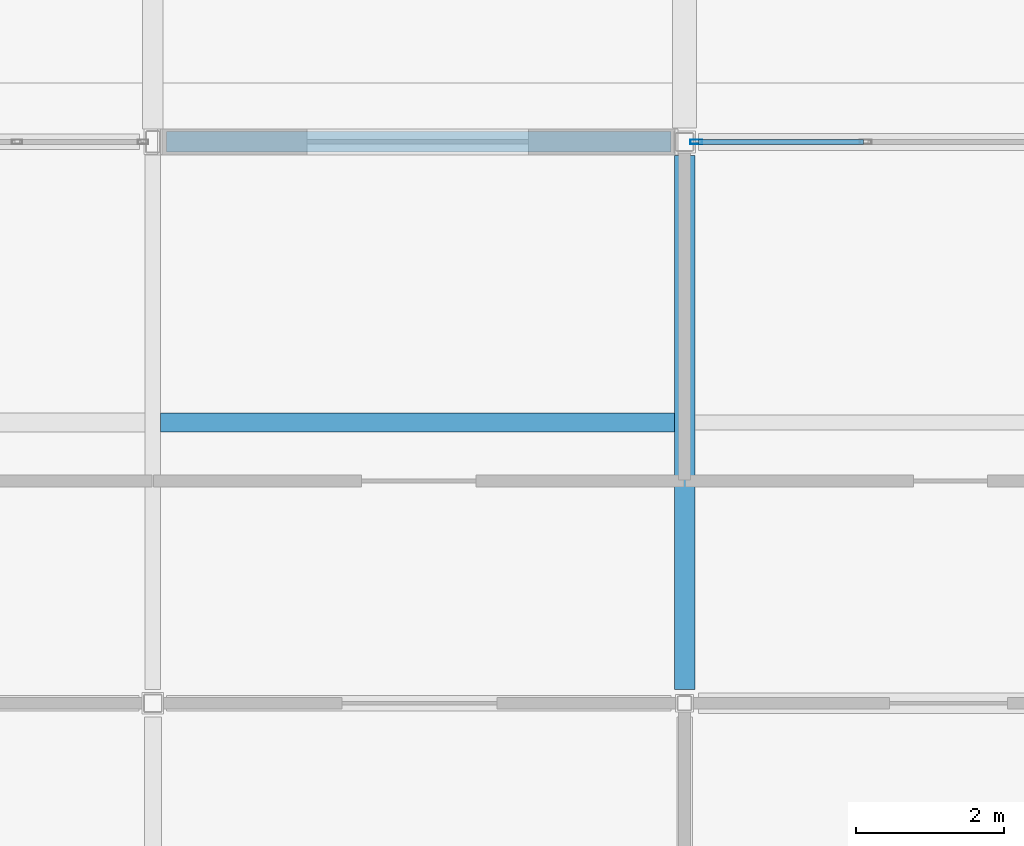
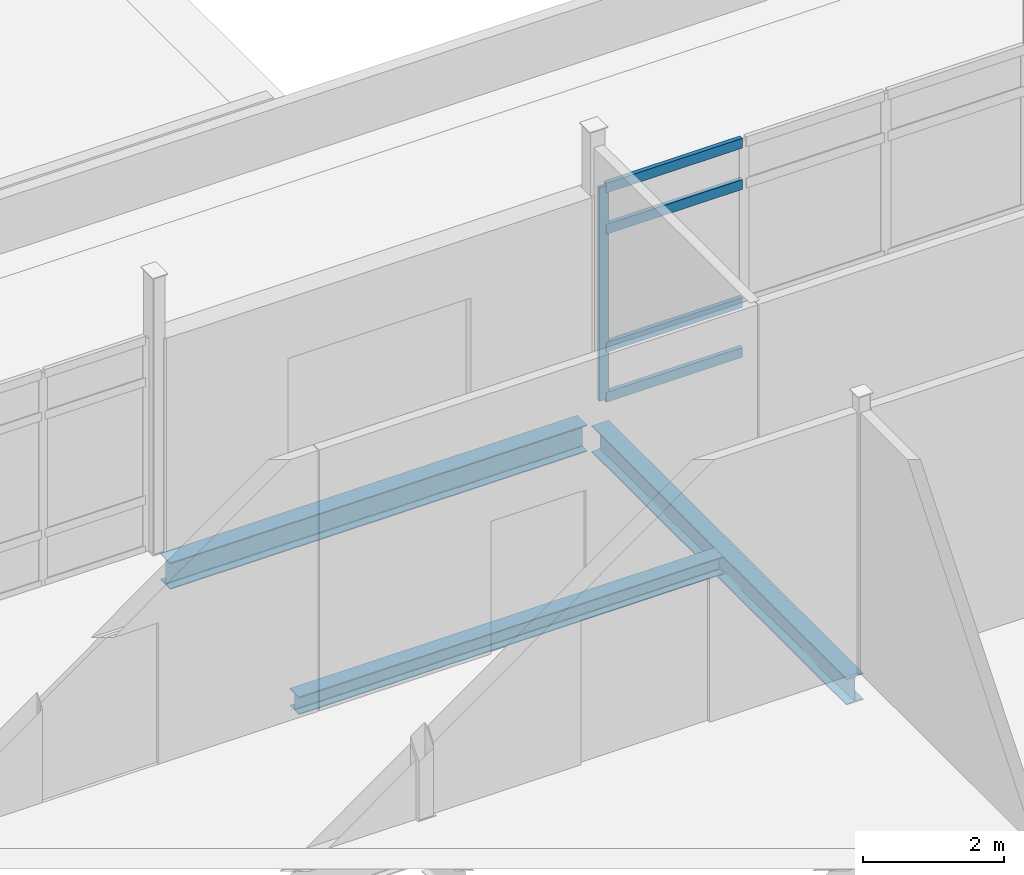
# One storey, part 35 of 186: 5 members, 3 beams, 1 element without a shape of its own.
"""IFC4 building model written with IfcOpenShell, lengths in metres."""

from ifc_helpers import new_model, si_unit, direction, frame, origin, origin_2d, place, context, subcontext, project, spatial, hollow_rectangle, i_section, extrude, material, layer, layer_set, material_profile, profile_set, type_object, element, aggregate, save


model = new_model("IFC4")

# Units and contexts
model_context = context("Model", 3, precision=1e-05, world=origin(), true_north=direction((0.0, 1.0)))
body_context = subcontext(model_context, "Body", "Model", "MODEL_VIEW")
ifc_project = project(units=[si_unit("LENGTHUNIT", "METRE"), si_unit("AREAUNIT", "SQUARE_METRE"), si_unit("VOLUMEUNIT", "CUBIC_METRE"), si_unit("PLANEANGLEUNIT", "RADIAN"), si_unit("MASSUNIT", "GRAM", prefix="KILO")], contexts=[model_context])

# Site, building, storey
site_placement = place(None, origin())
site = spatial("IfcSite", under=ifc_project, at=site_placement, CompositionType="ELEMENT")
building_placement = place(site_placement, origin())
building = spatial("IfcBuilding", under=site, at=building_placement, Name="Calvrana Isthmian Art Gallery", CompositionType="ELEMENT")
storey_placement = place(building_placement, frame((0.0, 0.0, 5.39990234375)))
storey = spatial("IfcBuildingStorey", under=building, at=storey_placement, Name="L01", CompositionType="ELEMENT", Elevation=5.39990234375)

# Beams
ifc_material_1 = material(Name="Steel ASTM A992 Gr 50", Category="steel")
ifc_material_profile_1 = material_profile(ifc_material_1, i_section(OverallWidth=0.279052734375, OverallDepth=0.4619140625, WebThickness=0.0107421875, FlangeThickness=0.017333984375, FilletRadius=0.02001953125, at=origin_2d()), Name="W18X76")
ifc_profile_set_1 = profile_set([ifc_material_profile_1], Name="Steel ASTM A992 Gr 50")
beam_type_1 = type_object("IfcBeamType", Name="BM-G-W18X76", PredefinedType="BEAM", material=ifc_profile_set_1)
beam_1_placement = place(storey_placement, frame((7.384033203125, 62.0, -0.475830078125), z_axis=(1.0, 0.0, 0.0), x_axis=(0.0, 1.0, 0.0)))
element("IfcBeam", 1, at=beam_1_placement, inside=storey, type_object=beam_type_1, Name="Girder X L01 02-03/I", PredefinedType="BEAM", context=body_context, shape_type="SweptSolid", body=[
    extrude(i_section(OverallWidth=0.279052734375, OverallDepth=0.4619140625, WebThickness=0.0107421875, FlangeThickness=0.017333984375, FilletRadius=0.02001953125, at=origin_2d()), origin(), (0.0, 0.0, 1.0), 6.829345703125),
])
beam_2_placement = place(storey_placement, frame((14.39990234375, 54.583984375, -0.475830078125), z_axis=(0.0, 1.0, 0.0), x_axis=(-1.0, 0.0, 0.0)))
element("IfcBeam", 2, at=beam_2_placement, inside=storey, type_object=beam_type_1, Name="Girder Y L01 03/H-I", PredefinedType="BEAM", context=body_context, shape_type="SweptSolid", body=[
    extrude(i_section(OverallWidth=0.279052734375, OverallDepth=0.4619140625, WebThickness=0.0107421875, FlangeThickness=0.017333984375, FilletRadius=0.02001953125, at=origin_2d()), origin(), (0.0, 0.0, 1.0), 7.2294921875),
])
ifc_material_profile_2 = material_profile(ifc_material_1, i_section(OverallWidth=0.25390625, OverallDepth=0.306884765625, WebThickness=0.0087890625, FlangeThickness=0.0146484375, FilletRadius=0.01611328125, at=origin_2d()), Name="W12X53")
ifc_profile_set_2 = profile_set([ifc_material_profile_2], Name="Steel ASTM A992 Gr 50")
beam_type_2 = type_object("IfcBeamType", Name="BM-J-W12X53", PredefinedType="JOIST", material=ifc_profile_set_2)
beam_3_placement = place(storey_placement, frame((7.304443359375, 58.199951171875, -0.3984375), z_axis=(1.0, 0.0, 0.0), x_axis=(0.0, 1.0, 0.0)))
element("IfcBeam", 3, at=beam_3_placement, inside=storey, type_object=beam_type_2, Name="Composite joist L01 bay 01-07", PredefinedType="JOIST", context=body_context, shape_type="SweptSolid", body=[
    extrude(i_section(OverallWidth=0.25390625, OverallDepth=0.306884765625, WebThickness=0.0087890625, FlangeThickness=0.0146484375, FilletRadius=0.01611328125, at=origin_2d()), origin(), (0.0, 0.0, 1.0), 6.9560546875),
])

# Curtain wall, members
ifc_material_2 = material(Name="Anodized bronze aluminium 6063-T6", Category="aluminium")
ifc_layer = layer(ifc_material_2, 0.179931640625, Name="Anodized bronze aluminium 6063-T6")
ifc_layer_set = layer_set([ifc_layer], Name="Anodized bronze aluminium 6063-T6")
curtain_wall_type = type_object("IfcCurtainWallType", Name="CW-STICK-070X37", PredefinedType="NOTDEFINED", material=ifc_layer_set)
curtain_wall_placement = place(storey_placement, origin())
curtain_wall = element("IfcCurtainWall", 4, at=curtain_wall_placement, inside=storey, type_object=curtain_wall_type, Name="Curtain wall CW-103", PredefinedType="NOTDEFINED")
ifc_material_profile_3 = material_profile(ifc_material_2, hollow_rectangle(XDim=0.06005859375, YDim=0.159912109375, WallThickness=0.00390625, at=origin_2d()), Name="CWM60X160")
ifc_profile_set_3 = profile_set([ifc_material_profile_3], Name="Anodized bronze aluminium 6063-T6")
member_type_1 = type_object("IfcMemberType", Name="CWM-CWM60X160", PredefinedType="MULLION", material=ifc_profile_set_3)
member_1_placement = place(storey_placement, frame((14.556884765625, 62.0, 0.0), z_axis=(0.0, 0.0, 1.0), x_axis=(0.0, 1.0, 0.0)))
member_1 = element("IfcMember", 5, at=member_1_placement, type_object=member_type_1, Name="CW-103 mullion 1", PredefinedType="MULLION", context=body_context, shape_type="SweptSolid", body=[
    extrude(hollow_rectangle(XDim=0.06005859375, YDim=0.159912109375, WallThickness=0.00390625, at=origin_2d()), origin(), (0.0, 0.0, 1.0), 3.695068359375),
])
ifc_material_profile_4 = material_profile(ifc_material_2, hollow_rectangle(XDim=0.070068359375, YDim=0.169921875, WallThickness=0.00439453125, at=origin_2d()), Name="CWT70X170")
ifc_profile_set_4 = profile_set([ifc_material_profile_4], Name="Anodized bronze aluminium 6063-T6")
member_type_2 = type_object("IfcMemberType", Name="CWT-CWT70X170", PredefinedType="USERDEFINED", material=ifc_profile_set_4)
member_2_placement = place(storey_placement, frame((14.5869140625, 62.0, 0.03515625), z_axis=(1.0, 0.0, 0.0), x_axis=(0.0, 1.0, 0.0)))
member_2 = element("IfcMember", 6, at=member_2_placement, type_object=member_type_2, Name="CW-103 transom 1.1", ObjectType="TRANSOM", PredefinedType="USERDEFINED", context=body_context, shape_type="SweptSolid", body=[
    extrude(hollow_rectangle(XDim=0.070068359375, YDim=0.169921875, WallThickness=0.00439453125, at=origin_2d()), origin(), (0.0, 0.0, 1.0), 2.23388671875),
])
member_3_placement = place(storey_placement, frame((14.5869140625, 62.0, 0.900146484375), z_axis=(1.0, 0.0, 0.0), x_axis=(0.0, 1.0, 0.0)))
member_3 = element("IfcMember", 7, at=member_3_placement, type_object=member_type_2, Name="CW-103 transom 1.2", ObjectType="TRANSOM", PredefinedType="USERDEFINED", context=body_context, shape_type="SweptSolid", body=[
    extrude(hollow_rectangle(XDim=0.070068359375, YDim=0.169921875, WallThickness=0.00439453125, at=origin_2d()), origin(), (0.0, 0.0, 1.0), 2.23388671875),
])
member_4_placement = place(storey_placement, frame((14.5869140625, 62.0, 2.945068359375), z_axis=(1.0, 0.0, 0.0), x_axis=(0.0, 1.0, 0.0)))
member_4 = element("IfcMember", 8, at=member_4_placement, type_object=member_type_2, Name="CW-103 transom 1.3", ObjectType="TRANSOM", PredefinedType="USERDEFINED", context=body_context, shape_type="SweptSolid", body=[
    extrude(hollow_rectangle(XDim=0.070068359375, YDim=0.169921875, WallThickness=0.00439453125, at=origin_2d()), origin(), (0.0, 0.0, 1.0), 2.23388671875),
])
member_5_placement = place(storey_placement, frame((14.5869140625, 62.0, 3.66015625), z_axis=(1.0, 0.0, 0.0), x_axis=(0.0, 1.0, 0.0)))
member_5 = element("IfcMember", 9, at=member_5_placement, type_object=member_type_2, Name="CW-103 transom 1.4", ObjectType="TRANSOM", PredefinedType="USERDEFINED", context=body_context, shape_type="SweptSolid", body=[
    extrude(hollow_rectangle(XDim=0.070068359375, YDim=0.169921875, WallThickness=0.00439453125, at=origin_2d()), origin(), (0.0, 0.0, 1.0), 2.23388671875),
])
aggregate(curtain_wall, [member_1, member_2, member_3, member_4, member_5])

save(model, "model.ifc")
